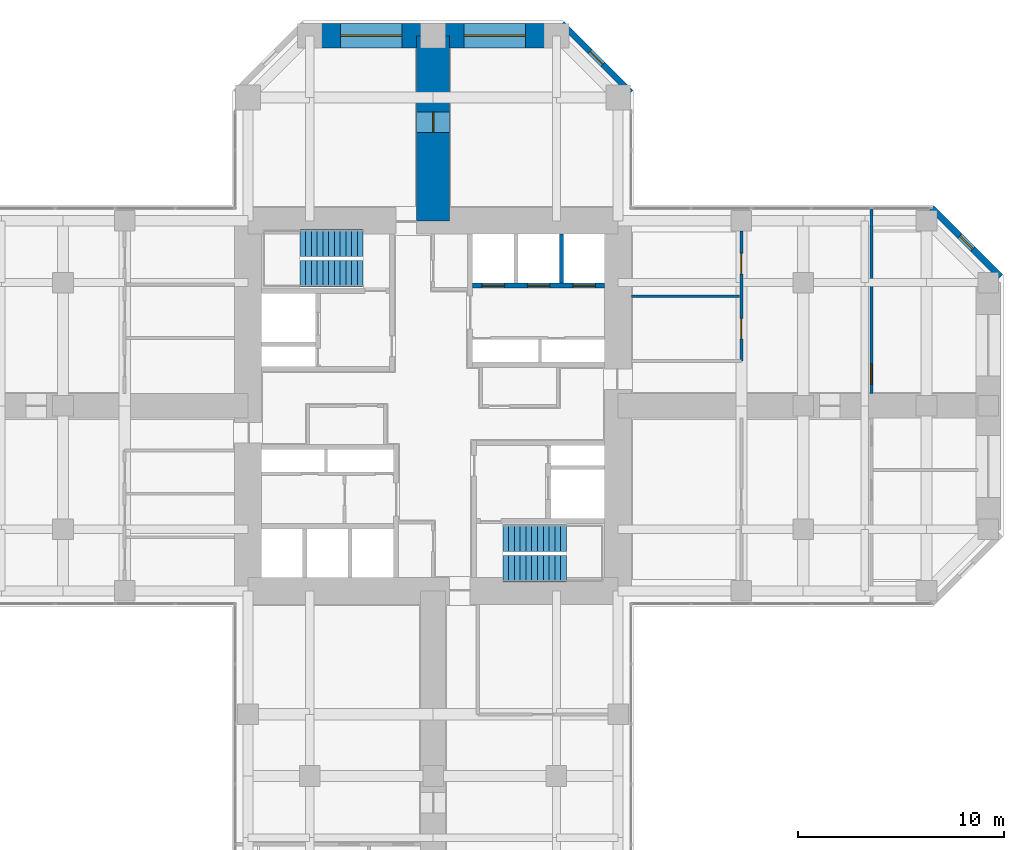
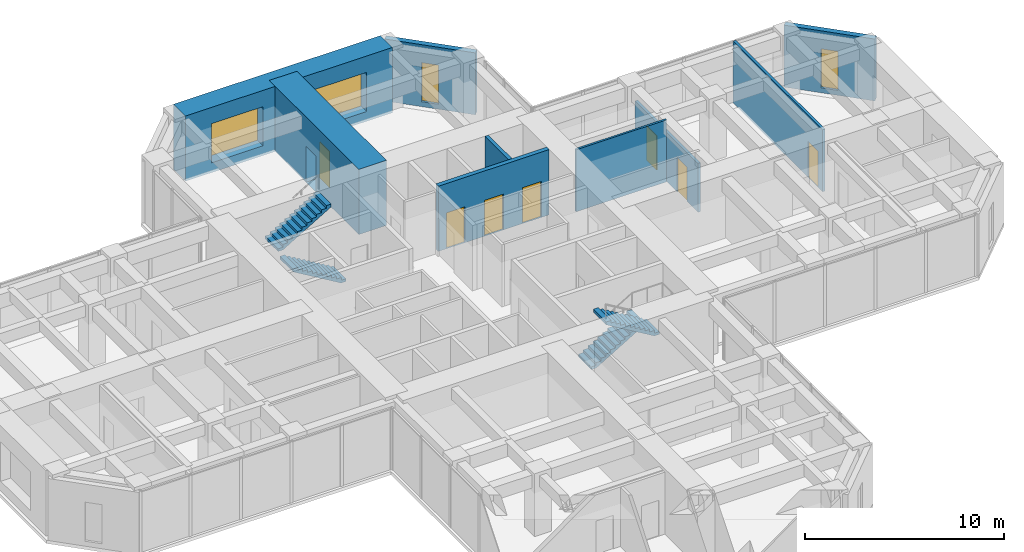
# One storey, part 11 of 12: 9 walls, 7 doors, 4 stair flights, 4 windows, 11 openings, 2 elements without a shape of their own.
"""IFC4 building model written with IfcOpenShell, lengths in metres."""

from ifc_helpers import new_model, si_unit, direction, frame, frame_2d, origin, place, context, subcontext, project, spatial, polyline, rectangle, hollow_rectangle, outline, extrude, material, layer, layer_set, constituent, constituent_set, type_object, element, fill, aggregate, save


model = new_model("IFC4")

# Units and contexts
model_context = context("Model", 3, precision=1e-05, world=origin(), true_north=direction((0.0, 1.0)))
body_context = subcontext(model_context, "Body", "Model", "MODEL_VIEW")
ifc_project = project(units=[si_unit("LENGTHUNIT", "METRE"), si_unit("AREAUNIT", "SQUARE_METRE"), si_unit("VOLUMEUNIT", "CUBIC_METRE"), si_unit("PLANEANGLEUNIT", "RADIAN"), si_unit("MASSUNIT", "GRAM", prefix="KILO")], contexts=[model_context])

# Site, building, storey
site_placement = place(None, origin())
site = spatial("IfcSite", under=ifc_project, at=site_placement, CompositionType="ELEMENT")
building_placement = place(site_placement, origin())
building = spatial("IfcBuilding", under=site, at=building_placement, Name="Torre Cruceta", CompositionType="ELEMENT")
storey_placement = place(building_placement, frame((0.0, 0.0, 108.5)))
storey = spatial("IfcBuildingStorey", under=building, at=storey_placement, Name="L26", CompositionType="ELEMENT", Elevation=108.5)

# Wall, openings, doors
ifc_material_1 = material(Name="Concrete G60 (fck 60 MPa)", Category="concrete")
ifc_layer_1 = layer(ifc_material_1, 0.25)
ifc_layer_set_1 = layer_set([ifc_layer_1], Name="Concrete G60 (fck 60 MPa)")
wall_type_1 = type_object("IfcWallType", Name="CORE INNER WALL 250 G60", PredefinedType="SHEAR", material=ifc_layer_set_1)
wall_1_placement = place(storey_placement, frame((1.925048828125, 5.85009765625, 0.0), z_axis=(0.0, 0.0, 1.0), x_axis=(1.0, 0.0, 0.0)))
wall_1 = element("IfcWall", 1, at=wall_1_placement, inside=storey, type_object=wall_type_1, Name="CW4 L26 NE-LV", PredefinedType="SHEAR", context=body_context, shape_type="SweptSolid", body=[
    extrude(rectangle(XDim=6.425048828125, YDim=0.25, at=frame_2d((3.21240234375, 0.0))), origin(), (0.0, 0.0, 1.0), 4.0),
])
opening_1_placement = place(wall_1_placement, frame((0.4541015625, 0.0, 0.0)))
opening_1 = element("IfcOpeningElement", 2, at=opening_1_placement, cuts=wall_1, Name="Opening LD1", PredefinedType="OPENING", context=body_context, shape_type="SweptSolid", body=[
    extrude(rectangle(XDim=1.10009765625, YDim=2.199951171875, at=frame_2d((0.550048828125, 1.10009765625))), frame((0.0, 0.135009765625, 0.0), z_axis=(0.0, -1.0, 0.0), x_axis=(1.0, 0.0, 0.0)), (0.0, 0.0, 1.0), 0.27001953125),
])
opening_2_placement = place(wall_1_placement, frame((2.66259765625, 0.0, 0.0)))
opening_2 = element("IfcOpeningElement", 3, at=opening_2_placement, cuts=wall_1, Name="Opening LD1", PredefinedType="OPENING", context=body_context, shape_type="SweptSolid", body=[
    extrude(rectangle(XDim=1.10009765625, YDim=2.199951171875, at=frame_2d((0.550048828125, 1.10009765625))), frame((0.0, 0.135009765625, 0.0), z_axis=(0.0, -1.0, 0.0), x_axis=(1.0, 0.0, 0.0)), (0.0, 0.0, 1.0), 0.27001953125),
])
opening_3_placement = place(wall_1_placement, frame((4.870849609375, 0.0, 0.0)))
opening_3 = element("IfcOpeningElement", 4, at=opening_3_placement, cuts=wall_1, Name="Opening LD1", PredefinedType="OPENING", context=body_context, shape_type="SweptSolid", body=[
    extrude(rectangle(XDim=1.10009765625, YDim=2.199951171875, at=frame_2d((0.550048828125, 1.10009765625))), frame((0.0, 0.135009765625, 0.0), z_axis=(0.0, -1.0, 0.0), x_axis=(1.0, 0.0, 0.0)), (0.0, 0.0, 1.0), 0.27001953125),
])
ifc_material_2 = material(Name="Stainless steel 1.4401", Category="steel")
door_type_1 = type_object("IfcDoorType", Name="LIFT LANDING DOOR 1100X2200", OperationType="DOUBLE_DOOR_SLIDING", PredefinedType="DOOR", material=ifc_material_2)
door_1_placement = place(opening_1_placement, origin())
door_1 = element("IfcDoor", 5, at=door_1_placement, inside=storey, type_object=door_type_1, Name="Lift landing door P1", OperationType="DOUBLE_DOOR_SLIDING", OverallHeight=2.199951171875, OverallWidth=1.10009765625, PredefinedType="DOOR", context=body_context, shape_type="SweptSolid", body=[
    extrude(rectangle(XDim=1.10009765625, YDim=2.199951171875, at=frame_2d((0.550048828125, 1.10009765625))), frame((0.0, 0.02490234375, 0.0), z_axis=(0.0, -1.0, 0.0), x_axis=(1.0, 0.0, 0.0)), (0.0, 0.0, 1.0), 0.050048828125),
])
fill(opening_1, door_1)
door_2_placement = place(opening_2_placement, origin())
door_2 = element("IfcDoor", 6, at=door_2_placement, inside=storey, type_object=door_type_1, Name="Lift landing door P2", OperationType="DOUBLE_DOOR_SLIDING", OverallHeight=2.199951171875, OverallWidth=1.10009765625, PredefinedType="DOOR", context=body_context, shape_type="SweptSolid", body=[
    extrude(rectangle(XDim=1.10009765625, YDim=2.199951171875, at=frame_2d((0.550048828125, 1.10009765625))), frame((0.0, 0.02490234375, 0.0), z_axis=(0.0, -1.0, 0.0), x_axis=(1.0, 0.0, 0.0)), (0.0, 0.0, 1.0), 0.050048828125),
])
fill(opening_2, door_2)
door_3_placement = place(opening_3_placement, origin())
door_3 = element("IfcDoor", 7, at=door_3_placement, inside=storey, type_object=door_type_1, Name="Lift landing door P3", OperationType="DOUBLE_DOOR_SLIDING", OverallHeight=2.199951171875, OverallWidth=1.10009765625, PredefinedType="DOOR", context=body_context, shape_type="SweptSolid", body=[
    extrude(rectangle(XDim=1.10009765625, YDim=2.199951171875, at=frame_2d((0.550048828125, 1.10009765625))), frame((0.0, 0.02490234375, 0.0), z_axis=(0.0, -1.0, 0.0), x_axis=(1.0, 0.0, 0.0)), (0.0, 0.0, 1.0), 0.050048828125),
])
fill(opening_3, door_3)

# Wall, opening, window
ifc_material_3 = material(Name="Concrete G30 (fck 30 MPa)", Category="concrete")
ifc_layer_2 = layer(ifc_material_3, 0.300048828125)
ifc_layer_set_2 = layer_set([ifc_layer_2], Name="Concrete G30 (fck 30 MPa)")
wall_type_2 = type_object("IfcWallType", Name="EXPOSED CONCRETE FACADE WALL 300", PredefinedType="SOLIDWALL", material=ifc_layer_set_2)
wall_2_placement = place(storey_placement, frame((27.60009765625, 6.27685546875, 0.0), z_axis=(0.0, 0.0, 1.0), x_axis=(-0.707106781187, 0.707106781187, 0.0)))
wall_2 = element("IfcWall", 8, at=wall_2_placement, inside=storey, type_object=wall_type_2, Name="EW1 facade wall L26 E chamfer 03", PredefinedType="SOLIDWALL", context=body_context, shape_type="SweptSolid", body=[
    extrude(rectangle(XDim=4.72802734375, YDim=0.300048828125, at=frame_2d((2.364013671875, 0.0))), origin(), (0.0, 0.0, 1.0), 3.800048828125),
])
opening_4_placement = place(wall_2_placement, frame((1.9140625, 0.0, 0.300048828125)))
opening_4 = element("IfcOpeningElement", 9, at=opening_4_placement, cuts=wall_2, Name="Opening WN5", PredefinedType="OPENING", context=body_context, shape_type="SweptSolid", body=[
    extrude(rectangle(XDim=0.89990234375, YDim=2.39990234375, at=frame_2d((0.449951171875, 1.199951171875))), frame((0.0, 0.159912109375, 0.0), z_axis=(0.0, -1.0, 0.0), x_axis=(1.0, 0.0, 0.0)), (0.0, 0.0, 1.0), 0.320068359375),
])
ifc_material_4 = material(Name="Aluminium window frame", Category="aluminium")
ifc_constituent_1 = constituent(ifc_material_4, Name="Frame")
ifc_material_5 = material(Name="Laminated insulating glass unit, low-iron clear", Category="glass")
ifc_constituent_2 = constituent(ifc_material_5, Name="Glazing")
ifc_constituent_set_1 = constituent_set(constituents=[ifc_constituent_1, ifc_constituent_2], Name="Aluminium window")
window_type_1 = type_object("IfcWindowType", Name="CHAMFER SLOT WINDOW 900X2400", PartitioningType="SINGLE_PANEL", PredefinedType="WINDOW", material=ifc_constituent_set_1)
window_1_placement = place(opening_4_placement, origin())
window_1 = element("IfcWindow", 10, at=window_1_placement, inside=storey, type_object=window_type_1, Name="WN5 L26 E 1", OverallHeight=2.39990234375, OverallWidth=0.89990234375, PartitioningType="SINGLE_PANEL", PredefinedType="WINDOW", context=body_context, shape_type="SweptSolid", body=[
    extrude(hollow_rectangle(XDim=0.89990234375, YDim=2.39990234375, WallThickness=0.06005859375, at=frame_2d((0.449951171875, 1.199951171875))), frame((0.0, 0.030029296875, 0.0), z_axis=(0.0, -1.0, 0.0), x_axis=(1.0, 0.0, 0.0)), (0.0, 0.0, 1.0), 0.06005859375),
    extrude(rectangle(XDim=0.77880859375, YDim=2.27880859375, at=frame_2d((0.449951171875, 1.199951171875))), frame((0.0, 0.030029296875, 0.0), z_axis=(0.0, -1.0, 0.0), x_axis=(1.0, 0.0, 0.0)), (0.0, 0.0, 1.0), 0.06005859375),
])
fill(opening_4, window_1)

wall_3_placement = place(storey_placement, frame((9.6201171875, 15.2568359375, 0.0), z_axis=(0.0, 0.0, 1.0), x_axis=(-0.707106781187, 0.707106781187, 0.0)))
wall_3 = element("IfcWall", 11, at=wall_3_placement, inside=storey, type_object=wall_type_2, Name="EW1 facade wall L26 N chamfer 06", PredefinedType="SOLIDWALL", context=body_context, shape_type="SweptSolid", body=[
    extrude(rectangle(XDim=4.72802734375, YDim=0.300048828125, at=frame_2d((2.364013671875, 0.0))), origin(), (0.0, 0.0, 1.0), 3.800048828125),
])
opening_5_placement = place(wall_3_placement, frame((1.9140625, 0.0, 0.300048828125)))
opening_5 = element("IfcOpeningElement", 12, at=opening_5_placement, cuts=wall_3, Name="Opening WN5", PredefinedType="OPENING", context=body_context, shape_type="SweptSolid", body=[
    extrude(rectangle(XDim=0.89990234375, YDim=2.39990234375, at=frame_2d((0.449951171875, 1.199951171875))), frame((0.0, 0.159912109375, 0.0), z_axis=(0.0, -1.0, 0.0), x_axis=(1.0, 0.0, 0.0)), (0.0, 0.0, 1.0), 0.320068359375),
])
window_2_placement = place(opening_5_placement, origin())
window_2 = element("IfcWindow", 13, at=window_2_placement, inside=storey, type_object=window_type_1, Name="WN5 L26 N 1", OverallHeight=2.39990234375, OverallWidth=0.89990234375, PartitioningType="SINGLE_PANEL", PredefinedType="WINDOW", context=body_context, shape_type="SweptSolid", body=[
    extrude(hollow_rectangle(XDim=0.89990234375, YDim=2.39990234375, WallThickness=0.06005859375, at=frame_2d((0.449951171875, 1.199951171875))), frame((0.0, 0.030029296875, 0.0), z_axis=(0.0, -1.0, 0.0), x_axis=(1.0, 0.0, 0.0)), (0.0, 0.0, 1.0), 0.06005859375),
    extrude(rectangle(XDim=0.77880859375, YDim=2.27880859375, at=frame_2d((0.449951171875, 1.199951171875))), frame((0.0, 0.030029296875, 0.0), z_axis=(0.0, -1.0, 0.0), x_axis=(1.0, 0.0, 0.0)), (0.0, 0.0, 1.0), 0.06005859375),
])
fill(opening_5, window_2)

# Wall
ifc_material_6 = material(Name="Concrete G35 (fck 35 MPa)", Category="concrete")
ifc_layer_3 = layer(ifc_material_6, 0.199951171875)
ifc_layer_set_3 = layer_set([ifc_layer_3], Name="Concrete G35 (fck 35 MPa)")
wall_type_3 = type_object("IfcWallType", Name="LIFT SHAFT WALL 200", PredefinedType="PARTITIONING", material=ifc_layer_set_3)
wall_4_placement = place(storey_placement, frame((6.24169921875, 5.97509765625, 0.0), z_axis=(0.0, 0.0, 1.0), x_axis=(0.0, 1.0, 0.0)))
element("IfcWall", 14, at=wall_4_placement, inside=storey, type_object=wall_type_3, Name="SW1 L26 NE-LS2", PredefinedType="PARTITIONING", context=body_context, shape_type="SweptSolid", body=[
    extrude(rectangle(XDim=2.375, YDim=0.199951171875, at=frame_2d((1.1875, 0.0))), origin(), (0.0, 0.0, 1.0), 4.0),
])

# Wall, openings, windows
ifc_material_7 = material(Name="Concrete G60 (fck 60 MPa)", Category="concrete")
ifc_layer_4 = layer(ifc_material_7, 1.199951171875)
ifc_layer_set_4 = layer_set([ifc_layer_4], Name="Concrete G60 (fck 60 MPa)")
wall_type_4 = type_object("IfcWallType", Name="NOSE WALL 1200 G60", PredefinedType="SHEAR", material=ifc_layer_set_4)
wall_5_placement = place(storey_placement, frame((6.0, 18.0, 0.0), z_axis=(0.0, 0.0, 1.0), x_axis=(-1.0, 0.0, 0.0)))
wall_5 = element("IfcWall", 15, at=wall_5_placement, inside=storey, type_object=wall_type_4, Name="NW1 nose wall L26 N", PredefinedType="SHEAR", context=body_context, shape_type="SweptSolid", body=[
    extrude(rectangle(XDim=12.0, YDim=1.199951171875, at=frame_2d((6.0, 0.0))), origin(), (0.0, 0.0, 1.0), 4.0),
])
opening_6_placement = place(wall_5_placement, frame((1.5, 0.0, 0.60009765625)))
opening_6 = element("IfcOpeningElement", 16, at=opening_6_placement, cuts=wall_5, Name="Opening WN6", PredefinedType="OPENING", context=body_context, shape_type="SweptSolid", body=[
    extrude(rectangle(XDim=3.0, YDim=2.39990234375, at=frame_2d((1.5, 1.199951171875))), frame((0.0, 0.60986328125, 0.0), z_axis=(0.0, -1.0, 0.0), x_axis=(1.0, 0.0, 0.0)), (0.0, 0.0, 1.0), 1.219970703125),
])
opening_7_placement = place(wall_5_placement, frame((7.5, 0.0, 0.60009765625)))
opening_7 = element("IfcOpeningElement", 17, at=opening_7_placement, cuts=wall_5, Name="Opening WN6", PredefinedType="OPENING", context=body_context, shape_type="SweptSolid", body=[
    extrude(rectangle(XDim=3.0, YDim=2.39990234375, at=frame_2d((1.5, 1.199951171875))), frame((0.0, 0.60986328125, 0.0), z_axis=(0.0, -1.0, 0.0), x_axis=(1.0, 0.0, 0.0)), (0.0, 0.0, 1.0), 1.219970703125),
])
ifc_material_8 = material(Name="Aluminium window frame", Category="aluminium")
ifc_constituent_3 = constituent(ifc_material_8, Name="Frame")
ifc_material_9 = material(Name="Laminated insulating glass unit, low-iron clear", Category="glass")
ifc_constituent_4 = constituent(ifc_material_9, Name="Glazing")
ifc_constituent_set_2 = constituent_set(constituents=[ifc_constituent_3, ifc_constituent_4], Name="Aluminium window")
window_type_2 = type_object("IfcWindowType", Name="NOSE WALL WINDOW 3000X2400", PartitioningType="SINGLE_PANEL", PredefinedType="WINDOW", material=ifc_constituent_set_2)
window_3_placement = place(opening_6_placement, origin())
window_3 = element("IfcWindow", 18, at=window_3_placement, inside=storey, type_object=window_type_2, Name="WN6 L26 N 1", OverallHeight=2.39990234375, OverallWidth=3.0, PartitioningType="SINGLE_PANEL", PredefinedType="WINDOW", context=body_context, shape_type="SweptSolid", body=[
    extrude(hollow_rectangle(XDim=3.0, YDim=2.39990234375, WallThickness=0.06005859375, at=frame_2d((1.5, 1.199951171875))), frame((0.0, 0.030029296875, 0.0), z_axis=(0.0, -1.0, 0.0), x_axis=(1.0, 0.0, 0.0)), (0.0, 0.0, 1.0), 0.06005859375),
    extrude(rectangle(XDim=2.87890625, YDim=2.27880859375, at=frame_2d((1.5, 1.199951171875))), frame((0.0, 0.030029296875, 0.0), z_axis=(0.0, -1.0, 0.0), x_axis=(1.0, 0.0, 0.0)), (0.0, 0.0, 1.0), 0.06005859375),
])
fill(opening_6, window_3)
window_4_placement = place(opening_7_placement, origin())
window_4 = element("IfcWindow", 19, at=window_4_placement, inside=storey, type_object=window_type_2, Name="WN6 L26 N 2", OverallHeight=2.39990234375, OverallWidth=3.0, PartitioningType="SINGLE_PANEL", PredefinedType="WINDOW", context=body_context, shape_type="SweptSolid", body=[
    extrude(hollow_rectangle(XDim=3.0, YDim=2.39990234375, WallThickness=0.06005859375, at=frame_2d((1.5, 1.199951171875))), frame((0.0, 0.030029296875, 0.0), z_axis=(0.0, -1.0, 0.0), x_axis=(1.0, 0.0, 0.0)), (0.0, 0.0, 1.0), 0.06005859375),
    extrude(rectangle(XDim=2.87890625, YDim=2.27880859375, at=frame_2d((1.5, 1.199951171875))), frame((0.0, 0.030029296875, 0.0), z_axis=(0.0, -1.0, 0.0), x_axis=(1.0, 0.0, 0.0)), (0.0, 0.0, 1.0), 0.06005859375),
])
fill(opening_7, window_4)

# Wall, openings, doors
ifc_material_10 = material(Name="Plasterboard on steel studs", Category="steel")
ifc_layer_5 = layer(ifc_material_10, 0.14990234375)
ifc_layer_set_5 = layer_set([ifc_layer_5], Name="Plasterboard on steel studs")
wall_type_5 = type_object("IfcWallType", Name="PARTITION 150", PredefinedType="PARTITIONING", material=ifc_layer_set_5)
wall_6_placement = place(storey_placement, frame((15.0, 2.175048828125, 0.0), z_axis=(0.0, 0.0, 1.0), x_axis=(0.0, 1.0, 0.0)))
wall_6 = element("IfcWall", 20, at=wall_6_placement, inside=storey, type_object=wall_type_5, Name="PT1 L26-E-BFL", PredefinedType="PARTITIONING", context=body_context, shape_type="SweptSolid", body=[
    extrude(rectangle(XDim=6.324951171875, YDim=0.14990234375, at=frame_2d((3.16259765625, 0.0))), origin(), (0.0, 0.0, 1.0), 3.0),
])
opening_8_placement = place(wall_6_placement, frame((1.081298828125, 0.0, 0.0)))
opening_8 = element("IfcOpeningElement", 21, at=opening_8_placement, cuts=wall_6, Name="Opening D3", PredefinedType="OPENING", context=body_context, shape_type="SweptSolid", body=[
    extrude(rectangle(XDim=1.0, YDim=2.10009765625, at=frame_2d((0.5, 1.050048828125))), frame((0.0, 0.0849609375, 0.0), z_axis=(0.0, -1.0, 0.0), x_axis=(1.0, 0.0, 0.0)), (0.0, 0.0, 1.0), 0.169921875),
])
opening_9_placement = place(wall_6_placement, frame((4.243896484375, 0.0, 0.0)))
opening_9 = element("IfcOpeningElement", 22, at=opening_9_placement, cuts=wall_6, Name="Opening D3", PredefinedType="OPENING", context=body_context, shape_type="SweptSolid", body=[
    extrude(rectangle(XDim=1.0, YDim=2.10009765625, at=frame_2d((0.5, 1.050048828125))), frame((0.0, 0.0849609375, 0.0), z_axis=(0.0, -1.0, 0.0), x_axis=(1.0, 0.0, 0.0)), (0.0, 0.0, 1.0), 0.169921875),
])
ifc_material_11 = material(Name="Steel DX51D", Category="steel")
ifc_constituent_5 = constituent(ifc_material_11, Name="Leaf and frame")
ifc_material_12 = material(Name="Polyester powder coating", Category="paint")
ifc_constituent_6 = constituent(ifc_material_12, Name="Finish")
ifc_constituent_set_3 = constituent_set(constituents=[ifc_constituent_5, ifc_constituent_6], Name="Steel fire door")
door_type_2 = type_object("IfcDoorType", Name="FIRE DOOR 1000X2100", OperationType="SINGLE_SWING_LEFT", PredefinedType="DOOR", material=ifc_constituent_set_3)
door_4_placement = place(opening_8_placement, origin())
door_4 = element("IfcDoor", 23, at=door_4_placement, inside=storey, type_object=door_type_2, Name="D3 L26-E-BFL-D1", OperationType="SINGLE_SWING_LEFT", OverallHeight=2.10009765625, OverallWidth=1.0, PredefinedType="DOOR", context=body_context, shape_type="SweptSolid", body=[
    extrude(rectangle(XDim=1.0, YDim=2.10009765625, at=frame_2d((0.5, 1.050048828125))), frame((0.0, 0.02490234375, 0.0), z_axis=(0.0, -1.0, 0.0), x_axis=(1.0, 0.0, 0.0)), (0.0, 0.0, 1.0), 0.050048828125),
])
fill(opening_8, door_4)
door_5_placement = place(opening_9_placement, origin())
door_5 = element("IfcDoor", 24, at=door_5_placement, inside=storey, type_object=door_type_2, Name="D3 L26-E-BFL-D2", OperationType="SINGLE_SWING_LEFT", OverallHeight=2.10009765625, OverallWidth=1.0, PredefinedType="DOOR", context=body_context, shape_type="SweptSolid", body=[
    extrude(rectangle(XDim=1.0, YDim=2.10009765625, at=frame_2d((0.5, 1.050048828125))), frame((0.0, 0.02490234375, 0.0), z_axis=(0.0, -1.0, 0.0), x_axis=(1.0, 0.0, 0.0)), (0.0, 0.0, 1.0), 0.050048828125),
])
fill(opening_9, door_5)

# Wall, opening, door
wall_7_placement = place(storey_placement, frame((21.320068359375, 0.60009765625, 0.0), z_axis=(0.0, 0.0, 1.0), x_axis=(0.0, 1.0, 0.0)))
wall_7 = element("IfcWall", 25, at=wall_7_placement, inside=storey, type_object=wall_type_5, Name="PT1 L26-E-TWL", PredefinedType="PARTITIONING", context=body_context, shape_type="SweptSolid", body=[
    extrude(rectangle(XDim=8.97998046875, YDim=0.14990234375, at=frame_2d((4.489990234375, 0.0))), origin(), (0.0, 0.0, 1.0), 3.800048828125),
])
opening_10_placement = place(wall_7_placement, frame((0.449951171875, 0.0, 0.0)))
opening_10 = element("IfcOpeningElement", 26, at=opening_10_placement, cuts=wall_7, Name="Opening D14", PredefinedType="OPENING", context=body_context, shape_type="SweptSolid", body=[
    extrude(rectangle(XDim=1.0, YDim=2.199951171875, at=frame_2d((0.5, 1.10009765625))), frame((0.0, 0.0849609375, 0.0), z_axis=(0.0, -1.0, 0.0), x_axis=(1.0, 0.0, 0.0)), (0.0, 0.0, 1.0), 0.169921875),
])
ifc_material_13 = material(Name="Steel DX51D", Category="steel")
ifc_constituent_7 = constituent(ifc_material_13, Name="Leaf and frame")
ifc_material_14 = material(Name="Polyester powder coating", Category="paint")
ifc_constituent_8 = constituent(ifc_material_14, Name="Finish")
ifc_material_15 = material(Name="Fire-resisting glass", Category="glass")
ifc_constituent_9 = constituent(ifc_material_15, Name="Vision panel")
ifc_constituent_set_4 = constituent_set(constituents=[ifc_constituent_7, ifc_constituent_8, ifc_constituent_9], Name="Steel fire door with vision panel")
door_type_3 = type_object("IfcDoorType", Name="FIRE DOOR VISION PANEL 1000X2200", OperationType="SINGLE_SWING_RIGHT", PredefinedType="DOOR", material=ifc_constituent_set_4)
door_6_placement = place(opening_10_placement, frame((1.0, 0.0, 0.0), z_axis=(0.0, 0.0, 1.0), x_axis=(-1.0, 0.0, 0.0)))
door_6 = element("IfcDoor", 27, at=door_6_placement, inside=storey, type_object=door_type_3, Name="D14 L26-E-TWL-D1", OperationType="SINGLE_SWING_RIGHT", OverallHeight=2.199951171875, OverallWidth=1.0, PredefinedType="DOOR", context=body_context, shape_type="SweptSolid", body=[
    extrude(rectangle(XDim=1.0, YDim=2.199951171875, at=frame_2d((0.5, 1.10009765625))), frame((0.0, 0.025146484375, 0.0), z_axis=(0.0, -1.0, 0.0), x_axis=(1.0, 0.0, 0.0)), (0.0, 0.0, 1.0), 0.050048828125),
])
fill(opening_10, door_6)

ifc_material_16 = material(Name="Concrete G60 (fck 60 MPa)", Category="concrete")
ifc_layer_6 = layer(ifc_material_16, 1.60009765625)
ifc_layer_set_6 = layer_set([ifc_layer_6], Name="Concrete G60 (fck 60 MPa)")
wall_type_6 = type_object("IfcWallType", Name="SPINE WALL 1600 G60", PredefinedType="SHEAR", material=ifc_layer_set_6)
wall_8_placement = place(storey_placement, frame((0.0, 9.0, 0.0), z_axis=(0.0, 0.0, 1.0), x_axis=(0.0, 1.0, 0.0)))
wall_8 = element("IfcWall", 28, at=wall_8_placement, inside=storey, type_object=wall_type_6, Name="SW2 spine wall L26 N", PredefinedType="SHEAR", context=body_context, shape_type="SweptSolid", body=[
    extrude(rectangle(XDim=9.0, YDim=1.60009765625, at=frame_2d((4.5, 0.0))), origin(), (0.0, 0.0, 1.0), 4.0),
])
opening_11_placement = place(wall_8_placement, frame((4.300048828125, 0.0, 0.0)))
opening_11 = element("IfcOpeningElement", 29, at=opening_11_placement, cuts=wall_8, Name="Opening D14", PredefinedType="OPENING", context=body_context, shape_type="SweptSolid", body=[
    extrude(rectangle(XDim=1.0, YDim=2.199951171875, at=frame_2d((0.5, 1.10009765625))), frame((0.0, 0.81005859375, 0.0), z_axis=(0.0, -1.0, 0.0), x_axis=(1.0, 0.0, 0.0)), (0.0, 0.0, 1.0), 1.6201171875),
])
door_7_placement = place(opening_11_placement, frame((1.0, 0.0, 0.0), z_axis=(0.0, 0.0, 1.0), x_axis=(-1.0, 0.0, 0.0)))
door_7 = element("IfcDoor", 30, at=door_7_placement, inside=storey, type_object=door_type_3, Name="D14 L26-N-SP1", OperationType="SINGLE_SWING_LEFT", OverallHeight=2.199951171875, OverallWidth=1.0, PredefinedType="DOOR", context=body_context, shape_type="SweptSolid", body=[
    extrude(rectangle(XDim=1.0, YDim=2.199951171875, at=frame_2d((0.5, 1.10009765625))), frame((0.0, 0.025146484375, 0.0), z_axis=(0.0, -1.0, 0.0), x_axis=(1.0, 0.0, 0.0)), (0.0, 0.0, 1.0), 0.050048828125),
])
fill(opening_11, door_7)

# Wall
ifc_material_17 = material(Name="Plasterboard on steel studs", Category="steel")
ifc_layer_7 = layer(ifc_material_17, 0.1201171875)
ifc_layer_set_7 = layer_set([ifc_layer_7], Name="Plasterboard on steel studs")
wall_type_7 = type_object("IfcWallType", Name="WC PARTITION 120", PredefinedType="PLUMBINGWALL", material=ifc_layer_set_7)
wall_9_placement = place(storey_placement, frame((9.64990234375, 5.33740234375, 0.0), z_axis=(0.0, 0.0, 1.0), x_axis=(1.0, 0.0, 0.0)))
element("IfcWall", 31, at=wall_9_placement, inside=storey, type_object=wall_type_7, Name="PT5 L26-E-BDL1", PredefinedType="PLUMBINGWALL", context=body_context, shape_type="SweptSolid", body=[
    extrude(rectangle(XDim=5.25, YDim=0.1201171875, at=frame_2d((2.625, 0.0))), origin(), (0.0, 0.0, 1.0), 3.800048828125),
])

# Stair, stair flights
ifc_material_18 = material(Name="Concrete G30 (fck 30 MPa)", Category="concrete")
stair_type = type_object("IfcStairType", Name="STAIR HALF-TURN 1300", PredefinedType="HALF_TURN_STAIR", material=ifc_material_18)
stair_1_placement = place(storey_placement, origin())
stair_1 = element("IfcStair", 32, at=stair_1_placement, inside=storey, type_object=stair_type, Name="Stair ST1 L26", PredefinedType="HALF_TURN_STAIR")
ifc_material_19 = material(Name="Concrete G30 (fck 30 MPa)", Category="concrete")
stair_flight_type = type_object("IfcStairFlightType", Name="STAIR FLIGHT 1300", PredefinedType="STRAIGHT", material=ifc_material_19)
stair_flight_1_placement = place(storey_placement, frame((-3.39990234375, 6.425048828125, 0.0), z_axis=(0.0, 0.0, 1.0), x_axis=(-1.0, 0.0, 0.0)))
stair_flight_1 = element("IfcStairFlight", 33, at=stair_flight_1_placement, type_object=stair_flight_type, Name="ST1 flight 1", NumberOfRisers=12, NumberOfTreads=11, PredefinedType="STRAIGHT", RiserHeight=0.166666667, TreadLength=0.28, context=body_context, shape_type="SweptSolid", body=[
    extrude(outline(polyline([(0.0, 0.0), (0.0, 0.166748046875), (0.280029296875, 0.166748046875), (0.280029296875, 0.333251953125), (0.56005859375, 0.333251953125), (0.56005859375, 0.5), (0.840087890625, 0.5), (0.840087890625, 0.666748046875), (1.1201171875, 0.666748046875), (1.1201171875, 0.833251953125), (1.39990234375, 0.833251953125), (1.39990234375, 1.0), (1.679931640625, 1.0), (1.679931640625, 1.166748046875), (1.9599609375, 1.166748046875), (1.9599609375, 1.333251953125), (2.239990234375, 1.333251953125), (2.239990234375, 1.5), (2.52001953125, 1.5), (2.52001953125, 1.666748046875), (2.800048828125, 1.666748046875), (2.800048828125, 1.833251953125), (3.080078125, 1.833251953125), (3.080078125, 2.0), (3.080078125, 1.658935546875), (0.29296875, 0.0), (0.0, 0.0)])), frame((0.0, 0.64990234375, 0.0), z_axis=(0.0, -1.0, 0.0), x_axis=(1.0, 0.0, 0.0)), (0.0, 0.0, 1.0), 1.300048828125),
])
stair_flight_2_placement = place(storey_placement, frame((-6.47998046875, 7.925048828125, 2.0), z_axis=(0.0, 0.0, 1.0), x_axis=(1.0, 0.0, 0.0)))
stair_flight_2 = element("IfcStairFlight", 34, at=stair_flight_2_placement, type_object=stair_flight_type, Name="ST1 flight 2", NumberOfRisers=12, NumberOfTreads=11, PredefinedType="STRAIGHT", RiserHeight=0.166666667, TreadLength=0.28, context=body_context, shape_type="SweptSolid", body=[
    extrude(outline(polyline([(0.0, 0.0), (0.0, 0.166748046875), (0.280029296875, 0.166748046875), (0.280029296875, 0.333251953125), (0.56005859375, 0.333251953125), (0.56005859375, 0.5), (0.840087890625, 0.5), (0.840087890625, 0.666748046875), (1.1201171875, 0.666748046875), (1.1201171875, 0.833251953125), (1.39990234375, 0.833251953125), (1.39990234375, 1.0), (1.679931640625, 1.0), (1.679931640625, 1.166748046875), (1.9599609375, 1.166748046875), (1.9599609375, 1.333251953125), (2.239990234375, 1.333251953125), (2.239990234375, 1.5), (2.52001953125, 1.5), (2.52001953125, 1.666748046875), (2.800048828125, 1.666748046875), (2.800048828125, 1.833251953125), (3.080078125, 1.833251953125), (3.080078125, 2.0), (3.080078125, 1.658935546875), (0.29296875, 0.0), (0.0, 0.0)])), frame((0.0, 0.64990234375, 0.0), z_axis=(0.0, -1.0, 0.0), x_axis=(1.0, 0.0, 0.0)), (0.0, 0.0, 1.0), 1.300048828125),
])
aggregate(stair_1, [stair_flight_1, stair_flight_2])

stair_2_placement = place(storey_placement, origin())
stair_2 = element("IfcStair", 35, at=stair_2_placement, inside=storey, type_object=stair_type, Name="Stair ST2 L26", PredefinedType="HALF_TURN_STAIR")
stair_flight_3_placement = place(storey_placement, frame((3.39990234375, -6.425048828125, 0.0), z_axis=(0.0, 0.0, 1.0), x_axis=(1.0, 0.0, 0.0)))
stair_flight_3 = element("IfcStairFlight", 36, at=stair_flight_3_placement, type_object=stair_flight_type, Name="ST2 flight 1", NumberOfRisers=12, NumberOfTreads=11, PredefinedType="STRAIGHT", RiserHeight=0.166666667, TreadLength=0.28, context=body_context, shape_type="SweptSolid", body=[
    extrude(outline(polyline([(0.0, 0.0), (0.0, 0.166748046875), (0.280029296875, 0.166748046875), (0.280029296875, 0.333251953125), (0.56005859375, 0.333251953125), (0.56005859375, 0.5), (0.840087890625, 0.5), (0.840087890625, 0.666748046875), (1.1201171875, 0.666748046875), (1.1201171875, 0.833251953125), (1.39990234375, 0.833251953125), (1.39990234375, 1.0), (1.679931640625, 1.0), (1.679931640625, 1.166748046875), (1.9599609375, 1.166748046875), (1.9599609375, 1.333251953125), (2.239990234375, 1.333251953125), (2.239990234375, 1.5), (2.52001953125, 1.5), (2.52001953125, 1.666748046875), (2.800048828125, 1.666748046875), (2.800048828125, 1.833251953125), (3.080078125, 1.833251953125), (3.080078125, 2.0), (3.080078125, 1.658935546875), (0.29296875, 0.0), (0.0, 0.0)])), frame((0.0, 0.64990234375, 0.0), z_axis=(0.0, -1.0, 0.0), x_axis=(1.0, 0.0, 0.0)), (0.0, 0.0, 1.0), 1.300048828125),
])
stair_flight_4_placement = place(storey_placement, frame((6.47998046875, -7.925048828125, 2.0), z_axis=(0.0, 0.0, 1.0), x_axis=(-1.0, 0.0, 0.0)))
stair_flight_4 = element("IfcStairFlight", 37, at=stair_flight_4_placement, type_object=stair_flight_type, Name="ST2 flight 2", NumberOfRisers=12, NumberOfTreads=11, PredefinedType="STRAIGHT", RiserHeight=0.166666667, TreadLength=0.28, context=body_context, shape_type="SweptSolid", body=[
    extrude(outline(polyline([(0.0, 0.0), (0.0, 0.166748046875), (0.280029296875, 0.166748046875), (0.280029296875, 0.333251953125), (0.56005859375, 0.333251953125), (0.56005859375, 0.5), (0.840087890625, 0.5), (0.840087890625, 0.666748046875), (1.1201171875, 0.666748046875), (1.1201171875, 0.833251953125), (1.39990234375, 0.833251953125), (1.39990234375, 1.0), (1.679931640625, 1.0), (1.679931640625, 1.166748046875), (1.9599609375, 1.166748046875), (1.9599609375, 1.333251953125), (2.239990234375, 1.333251953125), (2.239990234375, 1.5), (2.52001953125, 1.5), (2.52001953125, 1.666748046875), (2.800048828125, 1.666748046875), (2.800048828125, 1.833251953125), (3.080078125, 1.833251953125), (3.080078125, 2.0), (3.080078125, 1.658935546875), (0.29296875, 0.0), (0.0, 0.0)])), frame((0.0, 0.64990234375, 0.0), z_axis=(0.0, -1.0, 0.0), x_axis=(1.0, 0.0, 0.0)), (0.0, 0.0, 1.0), 1.300048828125),
])
aggregate(stair_2, [stair_flight_3, stair_flight_4])

save(model, "model.ifc")
